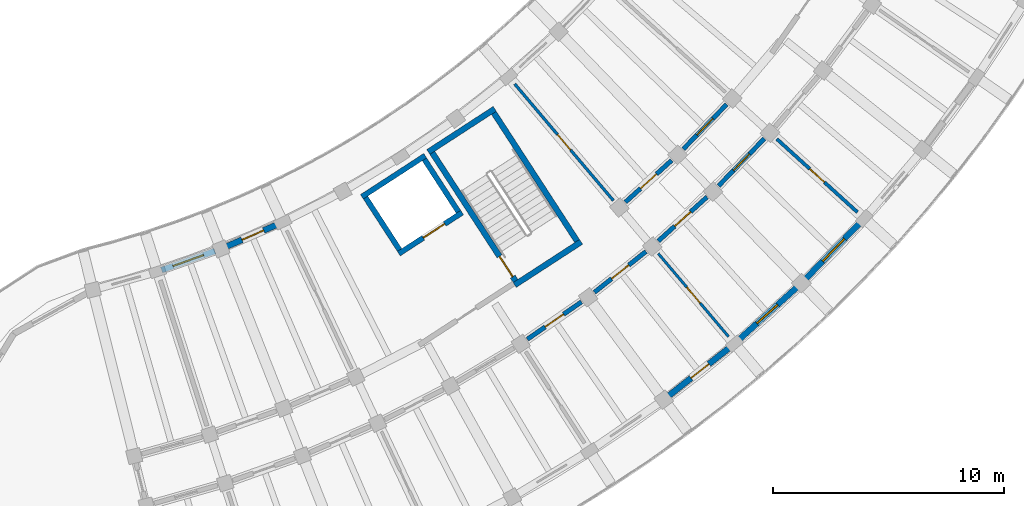
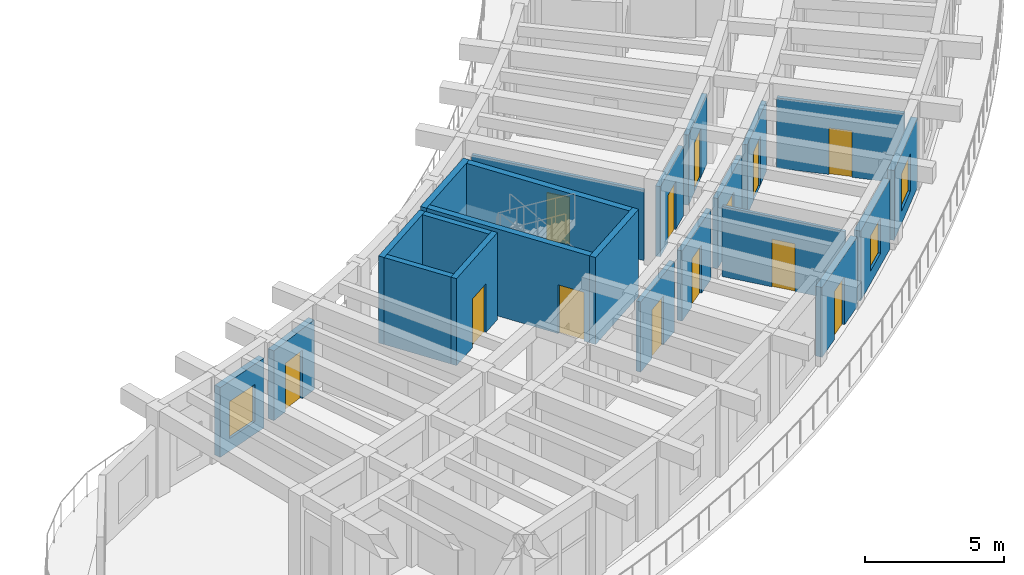
# One storey, part 95 of 128: 22 walls, 13 doors, 3 windows, 16 openings.
"""IFC4 building model written with IfcOpenShell, lengths in metres."""

from ifc_helpers import new_model, si_unit, direction, frame, frame_2d, origin, place, context, subcontext, project, spatial, rectangle, extrude, material, layer, layer_set, type_object, element, fill, save


model = new_model("IFC4")

# Units and contexts
model_context = context("Model", 3, precision=1e-05, world=origin(), true_north=direction((0.0, 1.0)))
body_context = subcontext(model_context, "Body", "Model", "MODEL_VIEW")
ifc_project = project(units=[si_unit("LENGTHUNIT", "METRE"), si_unit("AREAUNIT", "SQUARE_METRE"), si_unit("VOLUMEUNIT", "CUBIC_METRE"), si_unit("PLANEANGLEUNIT", "RADIAN"), si_unit("MASSUNIT", "GRAM", prefix="KILO")], contexts=[model_context])

# Site, building, storey
site_placement = place(None, origin())
site = spatial("IfcSite", under=ifc_project, at=site_placement, CompositionType="ELEMENT")
building_placement = place(site_placement, origin())
building = spatial("IfcBuilding", under=site, at=building_placement, Name="Tanwirah Colonnade Gardens", CompositionType="ELEMENT")
storey_placement = place(building_placement, frame((0.0, 0.0, 4.760009765625)))
storey = spatial("IfcBuildingStorey", under=building, at=storey_placement, Name="L01", CompositionType="ELEMENT", Elevation=4.760009765625)

# Wall, opening, window
ifc_material_1 = material(Name="Limestone architectural precast concrete C40/50", Category="masonry")
ifc_layer_1 = layer(ifc_material_1, 0.260009765625)
ifc_layer_set_1 = layer_set([ifc_layer_1], Name="Limestone architectural precast concrete C40/50")
wall_type_1 = type_object("IfcWallType", Name="EW-PC260", PredefinedType="SOLIDWALL", material=ifc_layer_set_1)
wall_1_placement = place(storey_placement, frame((134.7255859375, 22.22802734375, 0.0), z_axis=(0.0, 0.0, 1.0), x_axis=(0.941897456242, 0.335900553623, 0.0)))
wall_1 = element("IfcWall", 1, at=wall_1_placement, inside=storey, type_object=wall_type_1, Name="Block D L01 IN Precast Facade Wall 1", PredefinedType="SOLIDWALL", context=body_context, shape_type="SweptSolid", body=[
    extrude(rectangle(XDim=2.44873046875, YDim=0.260009765625, at=frame_2d((1.224365234375, 0.0))), origin(), (0.0, 0.0, 1.0), 3.074951171875),
])
opening_1_placement = place(wall_1_placement, frame((0.5244140625, 0.0, 0.550048828125)))
opening_1 = element("IfcOpeningElement", 2, at=opening_1_placement, cuts=wall_1, Name="Opening WIN-U07", PredefinedType="OPENING", context=body_context, shape_type="SweptSolid", body=[
    extrude(rectangle(XDim=1.39990234375, YDim=1.635009765625, at=frame_2d((0.699951171875, 0.8173828125))), frame((0.0, 0.139892578125, 0.0), z_axis=(0.0, -1.0, 0.0), x_axis=(1.0, 0.0, 0.0)), (0.0, 0.0, 1.0), 0.280029296875),
])
ifc_material_2 = material(Name="Thermally broken bronze aluminium and solar low-E double glazing", Category="aluminium")
window_type_1 = type_object("IfcWindowType", Name="WIN-U07", PartitioningType="DOUBLE_PANEL_VERTICAL", PredefinedType="WINDOW", material=ifc_material_2)
window_1_placement = place(opening_1_placement, origin())
window_1 = element("IfcWindow", 3, at=window_1_placement, inside=storey, type_object=window_type_1, Name="Facade window D-L01-IN-01", OverallHeight=1.635009765625, OverallWidth=1.39990234375, PartitioningType="SINGLE_PANEL", PredefinedType="WINDOW", context=body_context, shape_type="SweptSolid", body=[
    extrude(rectangle(XDim=1.39990234375, YDim=1.635009765625, at=frame_2d((0.699951171875, 0.8173828125))), frame((0.0, 0.030029296875, 0.0), z_axis=(0.0, -1.0, 0.0), x_axis=(1.0, 0.0, 0.0)), (0.0, 0.0, 1.0), 0.06005859375),
])
fill(opening_1, window_1)

# Wall, opening, door
wall_2_placement = place(storey_placement, frame((137.54345703125, 23.251953125, 0.0), z_axis=(0.0, 0.0, 1.0), x_axis=(0.917908073111, 0.396793106439, 0.0)))
wall_2 = element("IfcWall", 4, at=wall_2_placement, inside=storey, type_object=wall_type_1, Name="Block D L01 IN Precast Facade Wall 2", PredefinedType="SOLIDWALL", context=body_context, shape_type="SweptSolid", body=[
    extrude(rectangle(XDim=2.44873046875, YDim=0.260009765625, at=frame_2d((1.224365234375, 0.0))), origin(), (0.0, 0.0, 1.0), 3.074951171875),
])
opening_2_placement = place(wall_2_placement, frame((0.71435546875, 0.0, 0.0)))
opening_2 = element("IfcOpeningElement", 5, at=opening_2_placement, cuts=wall_2, Name="Opening L01-ED177", PredefinedType="OPENING", context=body_context, shape_type="SweptSolid", body=[
    extrude(rectangle(XDim=1.02001953125, YDim=2.139892578125, at=frame_2d((0.510009765625, 1.06982421875))), frame((0.0, 0.139892578125, 0.0), z_axis=(0.0, -1.0, 0.0), x_axis=(1.0, 0.0, 0.0)), (0.0, 0.0, 1.0), 0.280029296875),
])
ifc_material_3 = material(Name="Bronze aluminium glazed balcony door", Category="aluminium")
door_type_1 = type_object("IfcDoorType", Name="ED-BAL102", OperationType="NOTDEFINED", PredefinedType="DOOR", material=ifc_material_3)
door_1_placement = place(opening_2_placement, origin())
door_1 = element("IfcDoor", 6, at=door_1_placement, inside=storey, type_object=door_type_1, Name="Balcony glazed door L01-ED177", OperationType="SINGLE_SWING_RIGHT", OverallHeight=2.139892578125, OverallWidth=1.02001953125, PredefinedType="DOOR", context=body_context, shape_type="SweptSolid", body=[
    extrude(rectangle(XDim=1.02001953125, YDim=2.139892578125, at=frame_2d((0.510009765625, 1.06982421875))), frame((0.0, 0.02490234375, 0.0), z_axis=(0.0, -1.0, 0.0), x_axis=(1.0, 0.0, 0.0)), (0.0, 0.0, 1.0), 0.050048828125),
])
fill(opening_2, door_1)

wall_3_placement = place(storey_placement, frame((156.63720703125, 16.801025390625, 0.0), z_axis=(0.0, 0.0, 1.0), x_axis=(0.783970914649, 0.620797555556, 0.0)))
wall_3 = element("IfcWall", 7, at=wall_3_placement, inside=storey, type_object=wall_type_1, Name="Block D L01 OUT Precast Facade Wall 6", PredefinedType="SOLIDWALL", context=body_context, shape_type="SweptSolid", body=[
    extrude(rectangle(XDim=3.436767578125, YDim=0.260009765625, at=frame_2d((1.71826171875, 0.0))), origin(), (0.0, 0.0, 1.0), 3.074951171875),
])
opening_3_placement = place(wall_3_placement, frame((1.228515625, 0.0, 0.0)))
opening_3 = element("IfcOpeningElement", 8, at=opening_3_placement, cuts=wall_3, Name="Opening L01-ED178", PredefinedType="OPENING", context=body_context, shape_type="SweptSolid", body=[
    extrude(rectangle(XDim=0.97998046875, YDim=2.1201171875, at=frame_2d((0.489990234375, 1.06005859375))), frame((0.0, 0.139892578125, 0.0), z_axis=(0.0, -1.0, 0.0), x_axis=(1.0, 0.0, 0.0)), (0.0, 0.0, 1.0), 0.280029296875),
])
door_type_2 = type_object("IfcDoorType", Name="ED-BAL098", OperationType="NOTDEFINED", PredefinedType="DOOR", material=ifc_material_3)
door_2_placement = place(opening_3_placement, origin())
door_2 = element("IfcDoor", 9, at=door_2_placement, inside=storey, type_object=door_type_2, Name="Balcony glazed door L01-ED178", OperationType="SINGLE_SWING_RIGHT", OverallHeight=2.1201171875, OverallWidth=0.97998046875, PredefinedType="DOOR", context=body_context, shape_type="SweptSolid", body=[
    extrude(rectangle(XDim=0.97998046875, YDim=2.1201171875, at=frame_2d((0.489990234375, 1.06005859375))), frame((0.0, 0.02490234375, 0.0), z_axis=(0.0, -1.0, 0.0), x_axis=(1.0, 0.0, 0.0)), (0.0, 0.0, 1.0), 0.050048828125),
])
fill(opening_3, door_2)

# Wall, opening, window
wall_4_placement = place(storey_placement, frame((159.61376953125, 19.173583984375, 0.0), z_axis=(0.0, 0.0, 1.0), x_axis=(0.741699000924, 0.670732876806, 0.0)))
wall_4 = element("IfcWall", 10, at=wall_4_placement, inside=storey, type_object=wall_type_1, Name="Block D L01 OUT Precast Facade Wall 7", PredefinedType="SOLIDWALL", context=body_context, shape_type="SweptSolid", body=[
    extrude(rectangle(XDim=3.436767578125, YDim=0.260009765625, at=frame_2d((1.71826171875, 0.0))), origin(), (0.0, 0.0, 1.0), 3.074951171875),
])
opening_4_placement = place(wall_4_placement, frame((1.118408203125, 0.0, 0.550048828125)))
opening_4 = element("IfcOpeningElement", 11, at=opening_4_placement, cuts=wall_4, Name="Opening WIN-T02", PredefinedType="OPENING", context=body_context, shape_type="SweptSolid", body=[
    extrude(rectangle(XDim=1.199951171875, YDim=1.550048828125, at=frame_2d((0.60009765625, 0.77490234375))), frame((0.0, 0.139892578125, 0.0), z_axis=(0.0, -1.0, 0.0), x_axis=(1.0, 0.0, 0.0)), (0.0, 0.0, 1.0), 0.280029296875),
])
window_type_2 = type_object("IfcWindowType", Name="WIN-T02", PartitioningType="SINGLE_PANEL", PredefinedType="WINDOW", material=ifc_material_2)
window_2_placement = place(opening_4_placement, origin())
window_2 = element("IfcWindow", 12, at=window_2_placement, inside=storey, type_object=window_type_2, Name="Facade window D-L01-OUT-07", OverallHeight=1.550048828125, OverallWidth=1.199951171875, PartitioningType="SINGLE_PANEL", PredefinedType="WINDOW", context=body_context, shape_type="SweptSolid", body=[
    extrude(rectangle(XDim=1.199951171875, YDim=1.550048828125, at=frame_2d((0.60009765625, 0.77490234375))), frame((0.0, 0.030029296875, 0.0), z_axis=(0.0, -1.0, 0.0), x_axis=(1.0, 0.0, 0.0)), (0.0, 0.0, 1.0), 0.06005859375),
])
fill(opening_4, window_2)

wall_5_placement = place(storey_placement, frame((162.558349609375, 21.86083984375, 0.0), z_axis=(0.0, 0.0, 1.0), x_axis=(0.696226819082, 0.717821855609, 0.0)))
wall_5 = element("IfcWall", 13, at=wall_5_placement, inside=storey, type_object=wall_type_1, Name="Block D L01 OUT Precast Facade Wall 8", PredefinedType="SOLIDWALL", context=body_context, shape_type="SweptSolid", body=[
    extrude(rectangle(XDim=3.436767578125, YDim=0.260009765625, at=frame_2d((1.71826171875, 0.0))), origin(), (0.0, 0.0, 1.0), 3.074951171875),
])
opening_5_placement = place(wall_5_placement, frame((1.04345703125, 0.0, 0.550048828125)))
opening_5 = element("IfcOpeningElement", 14, at=opening_5_placement, cuts=wall_5, Name="Opening WIN-T05", PredefinedType="OPENING", context=body_context, shape_type="SweptSolid", body=[
    extrude(rectangle(XDim=1.35009765625, YDim=1.64990234375, at=frame_2d((0.675048828125, 0.824951171875))), frame((0.0, 0.139892578125, 0.0), z_axis=(0.0, -1.0, 0.0), x_axis=(1.0, 0.0, 0.0)), (0.0, 0.0, 1.0), 0.280029296875),
])
window_type_3 = type_object("IfcWindowType", Name="WIN-T05", PartitioningType="DOUBLE_PANEL_VERTICAL", PredefinedType="WINDOW", material=ifc_material_2)
window_3_placement = place(opening_5_placement, origin())
window_3 = element("IfcWindow", 15, at=window_3_placement, inside=storey, type_object=window_type_3, Name="Facade window D-L01-OUT-08", OverallHeight=1.64990234375, OverallWidth=1.35009765625, PartitioningType="SINGLE_PANEL", PredefinedType="WINDOW", context=body_context, shape_type="SweptSolid", body=[
    extrude(rectangle(XDim=1.35009765625, YDim=1.64990234375, at=frame_2d((0.675048828125, 0.824951171875))), frame((0.0, 0.030029296875, 0.0), z_axis=(0.0, -1.0, 0.0), x_axis=(1.0, 0.0, 0.0)), (0.0, 0.0, 1.0), 0.06005859375),
])
fill(opening_5, window_3)

# Wall, opening, door
ifc_material_4 = material(Name="Precast concrete C40/50", Category="concrete")
ifc_layer_2 = layer(ifc_material_4, 0.195068359375)
ifc_layer_set_2 = layer_set([ifc_layer_2], Name="Precast concrete C40/50")
wall_type_2 = type_object("IfcWallType", Name="IW-CORR195", PredefinedType="PARTITIONING", material=ifc_layer_set_2)
wall_6_placement = place(storey_placement, frame((150.527587890625, 19.24072265625, 0.0), z_axis=(0.0, 0.0, 1.0), x_axis=(0.822870075235, 0.568229565653, 0.0)))
wall_6 = element("IfcWall", 16, at=wall_6_placement, inside=storey, type_object=wall_type_2, Name="Block D L01 OUT Corridor Wall 5", PredefinedType="PARTITIONING", context=body_context, shape_type="SweptSolid", body=[
    extrude(rectangle(XDim=2.8369140625, YDim=0.195068359375, at=frame_2d((1.41845703125, 0.0))), origin(), (0.0, 0.0, 1.0), 3.090087890625),
])
opening_6_placement = place(wall_6_placement, frame((0.93359375, 0.0, 0.0)))
opening_6 = element("IfcOpeningElement", 17, at=opening_6_placement, cuts=wall_6, Name="Opening L01-AD1698", PredefinedType="OPENING", context=body_context, shape_type="SweptSolid", body=[
    extrude(rectangle(XDim=0.969970703125, YDim=2.14990234375, at=frame_2d((0.48486328125, 1.074951171875))), frame((0.0, 0.107421875, 0.0), z_axis=(0.0, -1.0, 0.0), x_axis=(1.0, 0.0, 0.0)), (0.0, 0.0, 1.0), 0.215087890625),
])
ifc_material_5 = material(Name="Solid oak fire-resisting apartment entrance door")
door_type_3 = type_object("IfcDoorType", Name="ID-FLT097", OperationType="NOTDEFINED", PredefinedType="DOOR", material=ifc_material_5)
door_3_placement = place(opening_6_placement, origin())
door_3 = element("IfcDoor", 18, at=door_3_placement, inside=storey, type_object=door_type_3, Name="Apartment corridor door L01-AD1698", OperationType="SINGLE_SWING_LEFT", OverallHeight=2.14990234375, OverallWidth=0.969970703125, PredefinedType="DOOR", context=body_context, shape_type="SweptSolid", body=[
    extrude(rectangle(XDim=0.969970703125, YDim=2.14990234375, at=frame_2d((0.48486328125, 1.074951171875))), frame((0.0, 0.02490234375, 0.0), z_axis=(0.0, -1.0, 0.0), x_axis=(1.0, 0.0, 0.0)), (0.0, 0.0, 1.0), 0.050048828125),
])
fill(opening_6, door_3)

wall_7_placement = place(storey_placement, frame((153.424560546875, 21.268798828125, 0.0), z_axis=(0.0, 0.0, 1.0), x_axis=(0.783965548427, 0.620804332201, 0.0)))
wall_7 = element("IfcWall", 19, at=wall_7_placement, inside=storey, type_object=wall_type_2, Name="Block D L01 OUT Corridor Wall 6", PredefinedType="PARTITIONING", context=body_context, shape_type="SweptSolid", body=[
    extrude(rectangle(XDim=2.8369140625, YDim=0.195068359375, at=frame_2d((1.41845703125, 0.0))), origin(), (0.0, 0.0, 1.0), 3.090087890625),
])
opening_7_placement = place(wall_7_placement, frame((0.943603515625, 0.0, 0.0)))
opening_7 = element("IfcOpeningElement", 20, at=opening_7_placement, cuts=wall_7, Name="Opening L01-AD1699", PredefinedType="OPENING", context=body_context, shape_type="SweptSolid", body=[
    extrude(rectangle(XDim=0.949951171875, YDim=2.1298828125, at=frame_2d((0.47509765625, 1.06494140625))), frame((0.0, 0.107421875, 0.0), z_axis=(0.0, -1.0, 0.0), x_axis=(1.0, 0.0, 0.0)), (0.0, 0.0, 1.0), 0.215087890625),
])
door_type_4 = type_object("IfcDoorType", Name="ID-FLT095", OperationType="NOTDEFINED", PredefinedType="DOOR", material=ifc_material_5)
door_4_placement = place(opening_7_placement, origin())
door_4 = element("IfcDoor", 21, at=door_4_placement, inside=storey, type_object=door_type_4, Name="Apartment corridor door L01-AD1699", OperationType="SINGLE_SWING_RIGHT", OverallHeight=2.1298828125, OverallWidth=0.949951171875, PredefinedType="DOOR", context=body_context, shape_type="SweptSolid", body=[
    extrude(rectangle(XDim=0.949951171875, YDim=2.1298828125, at=frame_2d((0.47509765625, 1.06494140625))), frame((0.0, 0.02490234375, 0.0), z_axis=(0.0, -1.0, 0.0), x_axis=(1.0, 0.0, 0.0)), (0.0, 0.0, 1.0), 0.050048828125),
])
fill(opening_7, door_4)

wall_8_placement = place(storey_placement, frame((156.1826171875, 23.48193359375, 0.0), z_axis=(0.0, 0.0, 1.0), x_axis=(0.741631592147, 0.670807410163, 0.0)))
wall_8 = element("IfcWall", 22, at=wall_8_placement, inside=storey, type_object=wall_type_2, Name="Block D L01 OUT Corridor Wall 7", PredefinedType="PARTITIONING", context=body_context, shape_type="SweptSolid", body=[
    extrude(rectangle(XDim=2.8369140625, YDim=0.195068359375, at=frame_2d((1.41845703125, 0.0))), origin(), (0.0, 0.0, 1.0), 3.090087890625),
])
opening_8_placement = place(wall_8_placement, frame((0.95361328125, 0.0, 0.0)))
opening_8 = element("IfcOpeningElement", 23, at=opening_8_placement, cuts=wall_8, Name="Opening L01-AD1702", PredefinedType="OPENING", context=body_context, shape_type="SweptSolid", body=[
    extrude(rectangle(XDim=0.929931640625, YDim=2.1201171875, at=frame_2d((0.46484375, 1.06005859375))), frame((0.0, 0.107421875, 0.0), z_axis=(0.0, -1.0, 0.0), x_axis=(1.0, 0.0, 0.0)), (0.0, 0.0, 1.0), 0.215087890625),
])
door_type_5 = type_object("IfcDoorType", Name="ID-FLT093", OperationType="NOTDEFINED", PredefinedType="DOOR", material=ifc_material_5)
door_5_placement = place(opening_8_placement, origin())
door_5 = element("IfcDoor", 24, at=door_5_placement, inside=storey, type_object=door_type_5, Name="Apartment corridor door L01-AD1702", OperationType="SINGLE_SWING_LEFT", OverallHeight=2.1201171875, OverallWidth=0.929931640625, PredefinedType="DOOR", context=body_context, shape_type="SweptSolid", body=[
    extrude(rectangle(XDim=0.929931640625, YDim=2.1201171875, at=frame_2d((0.46484375, 1.06005859375))), frame((0.0, 0.02490234375, 0.0), z_axis=(0.0, -1.0, 0.0), x_axis=(1.0, 0.0, 0.0)), (0.0, 0.0, 1.0), 0.050048828125),
])
fill(opening_8, door_5)

wall_9_placement = place(storey_placement, frame((154.76123046875, 25.1611328125, 0.0), z_axis=(0.0, 0.0, 1.0), x_axis=(0.74166462946, 0.670770882945, 0.0)))
wall_9 = element("IfcWall", 25, at=wall_9_placement, inside=storey, type_object=wall_type_2, Name="Block D L01 IN Corridor Wall 7", PredefinedType="PARTITIONING", context=body_context, shape_type="SweptSolid", body=[
    extrude(rectangle(XDim=2.693115234375, YDim=0.195068359375, at=frame_2d((1.3466796875, 0.0))), origin(), (0.0, 0.0, 1.0), 3.090087890625),
])
opening_9_placement = place(wall_9_placement, frame((0.881591796875, 0.0, 0.0)))
opening_9 = element("IfcOpeningElement", 26, at=opening_9_placement, cuts=wall_9, Name="Opening L01-AD1703", PredefinedType="OPENING", context=body_context, shape_type="SweptSolid", body=[
    extrude(rectangle(XDim=0.929931640625, YDim=2.1201171875, at=frame_2d((0.46484375, 1.06005859375))), frame((0.0, 0.107421875, 0.0), z_axis=(0.0, -1.0, 0.0), x_axis=(1.0, 0.0, 0.0)), (0.0, 0.0, 1.0), 0.215087890625),
])
door_6_placement = place(opening_9_placement, origin())
door_6 = element("IfcDoor", 27, at=door_6_placement, inside=storey, type_object=door_type_5, Name="Apartment corridor door L01-AD1703", OperationType="SINGLE_SWING_RIGHT", OverallHeight=2.1201171875, OverallWidth=0.929931640625, PredefinedType="DOOR", context=body_context, shape_type="SweptSolid", body=[
    extrude(rectangle(XDim=0.929931640625, YDim=2.1201171875, at=frame_2d((0.46484375, 1.06005859375))), frame((0.0, 0.02490234375, 0.0), z_axis=(0.0, -1.0, 0.0), x_axis=(1.0, 0.0, 0.0)), (0.0, 0.0, 1.0), 0.050048828125),
])
fill(opening_9, door_6)

wall_10_placement = place(storey_placement, frame((158.7900390625, 25.870849609375, 0.0), z_axis=(0.0, 0.0, 1.0), x_axis=(0.696223786753, 0.717824796701, 0.0)))
wall_10 = element("IfcWall", 28, at=wall_10_placement, inside=storey, type_object=wall_type_2, Name="Block D L01 OUT Corridor Wall 8", PredefinedType="PARTITIONING", context=body_context, shape_type="SweptSolid", body=[
    extrude(rectangle(XDim=2.8369140625, YDim=0.195068359375, at=frame_2d((1.41845703125, 0.0))), origin(), (0.0, 0.0, 1.0), 3.090087890625),
])
opening_10_placement = place(wall_10_placement, frame((0.923583984375, 0.0, 0.0)))
opening_10 = element("IfcOpeningElement", 29, at=opening_10_placement, cuts=wall_10, Name="Opening L01-AD1704", PredefinedType="OPENING", context=body_context, shape_type="SweptSolid", body=[
    extrude(rectangle(XDim=0.989990234375, YDim=2.159912109375, at=frame_2d((0.4951171875, 1.080078125))), frame((0.0, 0.107421875, 0.0), z_axis=(0.0, -1.0, 0.0), x_axis=(1.0, 0.0, 0.0)), (0.0, 0.0, 1.0), 0.215087890625),
])
door_type_6 = type_object("IfcDoorType", Name="ID-FLT099", OperationType="NOTDEFINED", PredefinedType="DOOR", material=ifc_material_5)
door_7_placement = place(opening_10_placement, origin())
door_7 = element("IfcDoor", 30, at=door_7_placement, inside=storey, type_object=door_type_6, Name="Apartment corridor door L01-AD1704", OperationType="SINGLE_SWING_RIGHT", OverallHeight=2.159912109375, OverallWidth=0.989990234375, PredefinedType="DOOR", context=body_context, shape_type="SweptSolid", body=[
    extrude(rectangle(XDim=0.989990234375, YDim=2.159912109375, at=frame_2d((0.4951171875, 1.080078125))), frame((0.0, 0.02490234375, 0.0), z_axis=(0.0, -1.0, 0.0), x_axis=(1.0, 0.0, 0.0)), (0.0, 0.0, 1.0), 0.050048828125),
])
fill(opening_10, door_7)

wall_11_placement = place(storey_placement, frame((157.26171875, 27.453369140625, 0.0), z_axis=(0.0, 0.0, 1.0), x_axis=(0.696236443412, 0.717812520694, 0.0)))
wall_11 = element("IfcWall", 31, at=wall_11_placement, inside=storey, type_object=wall_type_2, Name="Block D L01 IN Corridor Wall 8", PredefinedType="PARTITIONING", context=body_context, shape_type="SweptSolid", body=[
    extrude(rectangle(XDim=2.693115234375, YDim=0.195068359375, at=frame_2d((1.3466796875, 0.0))), origin(), (0.0, 0.0, 1.0), 3.090087890625),
])
opening_11_placement = place(wall_11_placement, frame((0.8515625, 0.0, 0.0)))
opening_11 = element("IfcOpeningElement", 32, at=opening_11_placement, cuts=wall_11, Name="Opening L01-AD1705", PredefinedType="OPENING", context=body_context, shape_type="SweptSolid", body=[
    extrude(rectangle(XDim=0.989990234375, YDim=2.159912109375, at=frame_2d((0.4951171875, 1.080078125))), frame((0.0, 0.107421875, 0.0), z_axis=(0.0, -1.0, 0.0), x_axis=(1.0, 0.0, 0.0)), (0.0, 0.0, 1.0), 0.215087890625),
])
door_8_placement = place(opening_11_placement, origin())
door_8 = element("IfcDoor", 33, at=door_8_placement, inside=storey, type_object=door_type_6, Name="Apartment corridor door L01-AD1705", OperationType="SINGLE_SWING_LEFT", OverallHeight=2.159912109375, OverallWidth=0.989990234375, PredefinedType="DOOR", context=body_context, shape_type="SweptSolid", body=[
    extrude(rectangle(XDim=0.989990234375, YDim=2.159912109375, at=frame_2d((0.4951171875, 1.080078125))), frame((0.0, 0.02490234375, 0.0), z_axis=(0.0, -1.0, 0.0), x_axis=(1.0, 0.0, 0.0)), (0.0, 0.0, 1.0), 0.050048828125),
])
fill(opening_11, door_8)

ifc_material_6 = material(Name="Acoustic gypsum stud partition")
ifc_layer_3 = layer(ifc_material_6, 0.114990234375)
ifc_layer_set_3 = layer_set([ifc_layer_3], Name="Acoustic gypsum stud partition")
wall_type_3 = type_object("IfcWallType", Name="IW-INT115", PredefinedType="PARTITIONING", material=ifc_layer_set_3)
wall_12_placement = place(storey_placement, frame((156.181396484375, 22.94189453125, 0.0), z_axis=(0.0, 0.0, 1.0), x_axis=(0.646137818229, -0.76322075434, 0.0)))
wall_12 = element("IfcWall", 34, at=wall_12_placement, inside=storey, type_object=wall_type_3, Name="Block D L01 Radial Partition 6", PredefinedType="PARTITIONING", context=body_context, shape_type="SweptSolid", body=[
    extrude(rectangle(XDim=4.699951171875, YDim=0.114990234375, at=frame_2d((2.35009765625, 0.0))), origin(), (0.0, 0.0, 1.0), 3.090087890625),
])
opening_12_placement = place(wall_12_placement, frame((1.905029296875, 0.0, 0.0)))
opening_12 = element("IfcOpeningElement", 35, at=opening_12_placement, cuts=wall_12, Name="Opening L01-RD1700", PredefinedType="OPENING", context=body_context, shape_type="SweptSolid", body=[
    extrude(rectangle(XDim=0.889892578125, YDim=2.10009765625, at=frame_2d((0.44482421875, 1.050048828125))), frame((0.0, 0.0673828125, 0.0), z_axis=(0.0, -1.0, 0.0), x_axis=(1.0, 0.0, 0.0)), (0.0, 0.0, 1.0), 0.135009765625),
])
ifc_material_7 = material(Name="Painted hardwood bedroom door", Category="wood")
door_type_7 = type_object("IfcDoorType", Name="ID-RM089", OperationType="NOTDEFINED", PredefinedType="DOOR", material=ifc_material_7)
door_9_placement = place(opening_12_placement, origin())
door_9 = element("IfcDoor", 36, at=door_9_placement, inside=storey, type_object=door_type_7, Name="Internal apartment door L01-RD1700", OperationType="SINGLE_SWING_RIGHT", OverallHeight=2.10009765625, OverallWidth=0.889892578125, PredefinedType="DOOR", context=body_context, shape_type="SweptSolid", body=[
    extrude(rectangle(XDim=0.889892578125, YDim=2.10009765625, at=frame_2d((0.44482421875, 1.050048828125))), frame((0.0, 0.02490234375, 0.0), z_axis=(0.0, -1.0, 0.0), x_axis=(1.0, 0.0, 0.0)), (0.0, 0.0, 1.0), 0.050048828125),
])
fill(opening_12, door_9)

ifc_material_8 = material(Name="Moisture-resistant gypsum stud partition")
ifc_layer_4 = layer(ifc_material_8, 0.125)
ifc_layer_set_4 = layer_set([ifc_layer_4], Name="Moisture-resistant gypsum stud partition")
wall_type_4 = type_object("IfcWallType", Name="IW-INT125", PredefinedType="PARTITIONING", material=ifc_layer_set_4)
wall_13_placement = place(storey_placement, frame((149.978759765625, 30.26904296875, 0.0), z_axis=(0.0, 0.0, 1.0), x_axis=(0.646121311019, -0.763234728932, 0.0)))
wall_13 = element("IfcWall", 37, at=wall_13_placement, inside=storey, type_object=wall_type_4, Name="Block D L01 Inner Radial Partition 6", PredefinedType="PARTITIONING", context=body_context, shape_type="SweptSolid", body=[
    extrude(rectangle(XDim=6.60009765625, YDim=0.125, at=frame_2d((3.300048828125, 0.0))), origin(), (0.0, 0.0, 1.0), 3.090087890625),
])
opening_13_placement = place(wall_13_placement, frame((2.864990234375, 0.0, 0.0)))
opening_13 = element("IfcOpeningElement", 38, at=opening_13_placement, cuts=wall_13, Name="Opening L01-RD1701", PredefinedType="OPENING", context=body_context, shape_type="SweptSolid", body=[
    extrude(rectangle(XDim=0.8701171875, YDim=2.080078125, at=frame_2d((0.43505859375, 1.0400390625))), frame((0.0, 0.072509765625, 0.0), z_axis=(0.0, -1.0, 0.0), x_axis=(1.0, 0.0, 0.0)), (0.0, 0.0, 1.0), 0.14501953125),
])
ifc_material_9 = material(Name="Painted hardwood study door", Category="wood")
door_type_8 = type_object("IfcDoorType", Name="ID-RM087", OperationType="NOTDEFINED", PredefinedType="DOOR", material=ifc_material_9)
door_10_placement = place(opening_13_placement, origin())
door_10 = element("IfcDoor", 39, at=door_10_placement, inside=storey, type_object=door_type_8, Name="Internal apartment door L01-RD1701", OperationType="SINGLE_SWING_LEFT", OverallHeight=2.080078125, OverallWidth=0.8701171875, PredefinedType="DOOR", context=body_context, shape_type="SweptSolid", body=[
    extrude(rectangle(XDim=0.8701171875, YDim=2.080078125, at=frame_2d((0.43505859375, 1.0400390625))), frame((0.0, 0.02490234375, 0.0), z_axis=(0.0, -1.0, 0.0), x_axis=(1.0, 0.0, 0.0)), (0.0, 0.0, 1.0), 0.050048828125),
])
fill(opening_13, door_10)

ifc_material_10 = material(Name="Water-resistant acoustic plumbing partition")
ifc_layer_5 = layer(ifc_material_10, 0.14990234375)
ifc_layer_set_5 = layer_set([ifc_layer_5], Name="Water-resistant acoustic plumbing partition")
wall_type_5 = type_object("IfcWallType", Name="IW-WET150", PredefinedType="PLUMBINGWALL", material=ifc_layer_set_5)
wall_14_placement = place(storey_placement, frame((161.304931640625, 27.8896484375, 0.0), z_axis=(0.0, 0.0, 1.0), x_axis=(0.740212663782, -0.672372822456, 0.0)))
wall_14 = element("IfcWall", 40, at=wall_14_placement, inside=storey, type_object=wall_type_5, Name="Block D L01 Radial Partition 8", PredefinedType="PLUMBINGWALL", context=body_context, shape_type="SweptSolid", body=[
    extrude(rectangle(XDim=4.699951171875, YDim=0.14990234375, at=frame_2d((2.35009765625, 0.0))), origin(), (0.0, 0.0, 1.0), 3.090087890625),
])
opening_14_placement = place(wall_14_placement, frame((1.925048828125, 0.0, 0.0)))
opening_14 = element("IfcOpeningElement", 41, at=opening_14_placement, cuts=wall_14, Name="Opening L01-RD1706", PredefinedType="OPENING", context=body_context, shape_type="SweptSolid", body=[
    extrude(rectangle(XDim=0.85009765625, YDim=2.050048828125, at=frame_2d((0.425048828125, 1.02490234375))), frame((0.0, 0.0849609375, 0.0), z_axis=(0.0, -1.0, 0.0), x_axis=(1.0, 0.0, 0.0)), (0.0, 0.0, 1.0), 0.169921875),
])
ifc_material_11 = material(Name="Moisture-resistant en-suite door")
door_type_9 = type_object("IfcDoorType", Name="ID-WET085", OperationType="NOTDEFINED", PredefinedType="DOOR", material=ifc_material_11)
door_11_placement = place(opening_14_placement, origin())
door_11 = element("IfcDoor", 42, at=door_11_placement, inside=storey, type_object=door_type_9, Name="Internal apartment door L01-RD1706", OperationType="SINGLE_SWING_RIGHT", OverallHeight=2.050048828125, OverallWidth=0.85009765625, PredefinedType="DOOR", context=body_context, shape_type="SweptSolid", body=[
    extrude(rectangle(XDim=0.85009765625, YDim=2.050048828125, at=frame_2d((0.425048828125, 1.02490234375))), frame((0.0, 0.02490234375, 0.0), z_axis=(0.0, -1.0, 0.0), x_axis=(1.0, 0.0, 0.0)), (0.0, 0.0, 1.0), 0.050048828125),
])
fill(opening_14, door_11)

# Walls
ifc_material_12 = material(Name="Concrete C45/55", Category="concrete")
ifc_layer_6 = layer(ifc_material_12, 0.25)
ifc_layer_set_6 = layer_set([ifc_layer_6], Name="Concrete C45/55")
wall_type_6 = type_object("IfcWallType", Name="SW-CORE250", PredefinedType="SHEAR", material=ifc_layer_set_6)
wall_15_placement = place(storey_placement, frame((152.674072265625, 23.48388671875, 0.0), z_axis=(0.0, 0.0, 1.0), x_axis=(-0.544655453679, 0.838659905312, 0.0)))
element("IfcWall", 43, at=wall_15_placement, inside=storey, type_object=wall_type_6, Name="CORE-D1 L01 Stair Shaft Shear Wall LEFT", PredefinedType="SHEAR", context=body_context, shape_type="SweptSolid", body=[
    extrude(rectangle(XDim=6.60009765625, YDim=0.25, at=frame_2d((3.300048828125, 0.0))), origin(), (0.0, 0.0, 1.0), 3.830078125),
])
wall_16_placement = place(storey_placement, frame((149.1162109375, 29.19189453125, 0.0), z_axis=(0.0, 0.0, 1.0), x_axis=(-0.838699580527, -0.544594356953, 0.0)))
element("IfcWall", 44, at=wall_16_placement, inside=storey, type_object=wall_type_6, Name="CORE-D1 L01 Stair Shaft Shear Wall FAR", PredefinedType="SHEAR", context=body_context, shape_type="SweptSolid", body=[
    extrude(rectangle(XDim=3.420166015625, YDim=0.25, at=frame_2d((1.7099609375, 0.0))), origin(), (0.0, 0.0, 1.0), 3.830078125),
])
wall_17_placement = place(storey_placement, frame((152.846923828125, 23.447021484375, 0.0), z_axis=(0.0, 0.0, 1.0), x_axis=(-0.838645798734, -0.544677174357, 0.0)))
element("IfcWall", 45, at=wall_17_placement, inside=storey, type_object=wall_type_6, Name="CORE-D1 L01 Stair Shaft Shear Wall NEAR", PredefinedType="SHEAR", context=body_context, shape_type="SweptSolid", body=[
    extrude(rectangle(XDim=3.419921875, YDim=0.25, at=frame_2d((1.7099609375, 0.0))), origin(), (0.0, 0.0, 1.0), 3.830078125),
])

# Wall, opening, door
wall_18_placement = place(storey_placement, frame((150.015380859375, 21.75732421875, 0.0), z_axis=(0.0, 0.0, 1.0), x_axis=(-0.544629435258, 0.838676802022, 0.0)))
wall_18 = element("IfcWall", 46, at=wall_18_placement, inside=storey, type_object=wall_type_6, Name="CORE-D1 L01 Stair Shaft Shear Wall RIGHT", PredefinedType="SHEAR", context=body_context, shape_type="SweptSolid", body=[
    extrude(rectangle(XDim=6.599853515625, YDim=0.25, at=frame_2d((3.2998046875, 0.0))), origin(), (0.0, 0.0, 1.0), 3.830078125),
])
opening_15_placement = place(wall_18_placement, frame((0.219970703125, 0.0, 0.0)))
opening_15 = element("IfcOpeningElement", 47, at=opening_15_placement, cuts=wall_18, Name="Opening L01-SD171", PredefinedType="OPENING", context=body_context, shape_type="SweptSolid", body=[
    extrude(rectangle(XDim=1.050048828125, YDim=2.14990234375, at=frame_2d((0.52490234375, 1.074951171875))), frame((0.0, 0.135009765625, 0.0), z_axis=(0.0, -1.0, 0.0), x_axis=(1.0, 0.0, 0.0)), (0.0, 0.0, 1.0), 0.27001953125),
])
ifc_material_13 = material(Name="Steel fire-resisting stair enclosure door", Category="steel")
door_type_10 = type_object("IfcDoorType", Name="ID-ST105", OperationType="NOTDEFINED", PredefinedType="DOOR", material=ifc_material_13)
door_12_placement = place(opening_15_placement, origin())
door_12 = element("IfcDoor", 48, at=door_12_placement, inside=storey, type_object=door_type_10, Name="CORE-D1 L01 Stair Fire Door L01-SD171", OperationType="SINGLE_SWING_RIGHT", OverallHeight=2.14990234375, OverallWidth=1.050048828125, PredefinedType="DOOR", context=body_context, shape_type="SweptSolid", body=[
    extrude(rectangle(XDim=1.050048828125, YDim=2.14990234375, at=frame_2d((0.52490234375, 1.074951171875))), frame((0.0, 0.02490234375, 0.0), z_axis=(0.0, -1.0, 0.0), x_axis=(1.0, 0.0, 0.0)), (0.0, 0.0, 1.0), 0.050048828125),
])
fill(opening_15, door_12)

ifc_layer_7 = layer(ifc_material_12, 0.22998046875)
ifc_layer_set_7 = layer_set([ifc_layer_7], Name="Concrete C45/55")
wall_type_7 = type_object("IfcWallType", Name="SW-LIFT230", PredefinedType="SHEAR", material=ifc_layer_set_7)
wall_19_placement = place(storey_placement, frame((147.70849609375, 24.712646484375, 0.0), z_axis=(0.0, 0.0, 1.0), x_axis=(-0.838672833615, -0.544635546173, 0.0)))
wall_19 = element("IfcWall", 49, at=wall_19_placement, inside=storey, type_object=wall_type_7, Name="CORE-D1 L01 Lift Shaft Wall FRONT", PredefinedType="SHEAR", context=body_context, shape_type="SweptSolid", body=[
    extrude(rectangle(XDim=3.259765625, YDim=0.22998046875, at=frame_2d((1.6298828125, 0.0))), origin(), (0.0, 0.0, 1.0), 3.830078125),
])
opening_16_placement = place(wall_19_placement, frame((0.89990234375, 0.0, 0.0)))
opening_16 = element("IfcOpeningElement", 50, at=opening_16_placement, cuts=wall_19, Name="Opening L01-LD-FL-D1", PredefinedType="OPENING", context=body_context, shape_type="SweptSolid", body=[
    extrude(rectangle(XDim=1.10009765625, YDim=2.14990234375, at=frame_2d((0.550048828125, 1.074951171875))), frame((0.0, 0.125, 0.0), z_axis=(0.0, -1.0, 0.0), x_axis=(1.0, 0.0, 0.0)), (0.0, 0.0, 1.0), 0.25),
])
ifc_material_14 = material(Name="Stainless steel sliding fire lift landing door", Category="steel")
door_type_11 = type_object("IfcDoorType", Name="LD-FF11", OperationType="DOUBLE_DOOR_SLIDING", PredefinedType="DOOR", material=ifc_material_14)
door_13_placement = place(opening_16_placement, origin())
door_13 = element("IfcDoor", 51, at=door_13_placement, inside=storey, type_object=door_type_11, Name="Lift FL-D1 L01 Sliding Landing Door", OperationType="DOUBLE_DOOR_SLIDING", OverallHeight=2.14990234375, OverallWidth=1.10009765625, PredefinedType="DOOR", context=body_context, shape_type="SweptSolid", body=[
    extrude(rectangle(XDim=1.10009765625, YDim=2.14990234375, at=frame_2d((0.550048828125, 1.074951171875))), frame((0.0, 0.02490234375, 0.0), z_axis=(0.0, -1.0, 0.0), x_axis=(1.0, 0.0, 0.0)), (0.0, 0.0, 1.0), 0.050048828125),
])
fill(opening_16, door_13)

# Walls
wall_20_placement = place(storey_placement, frame((146.11279296875, 27.169921875, 0.0), z_axis=(0.0, 0.0, 1.0), x_axis=(-0.838695047431, -0.544601338058, 0.0)))
element("IfcWall", 52, at=wall_20_placement, inside=storey, type_object=wall_type_7, Name="CORE-D1 L01 Lift Shaft Wall BACK", PredefinedType="SHEAR", context=body_context, shape_type="SweptSolid", body=[
    extrude(rectangle(XDim=3.260009765625, YDim=0.22998046875, at=frame_2d((1.6298828125, 0.0))), origin(), (0.0, 0.0, 1.0), 3.830078125),
])
for number, where, z_axis, x_axis, name in (
    (53, (147.549560546875, 24.74658203125, 0.0), (0.0, 0.0, 1.0), (-0.544622789439, 0.838681117722, 0.0), "CORE-D1 L01 Lift Shaft Wall SIDEA"),
    (54, (145.00830078125, 23.09619140625, 0.0), (0.0, 0.0, 1.0), (-0.544622789439, 0.838681117722, 0.0), "CORE-D1 L01 Lift Shaft Wall SIDEB"),
):
    element("IfcWall", number, at=place(storey_placement, frame(where, z_axis=z_axis, x_axis=x_axis)), inside=storey, type_object=wall_type_7, Name=name, PredefinedType="SHEAR", context=body_context, shape_type="SweptSolid", body=[
        extrude(rectangle(XDim=2.699951171875, YDim=0.22998046875, at=frame_2d((1.35009765625, 0.0))), origin(), (0.0, 0.0, 1.0), 3.830078125),
    ])

save(model, "model.ifc")
